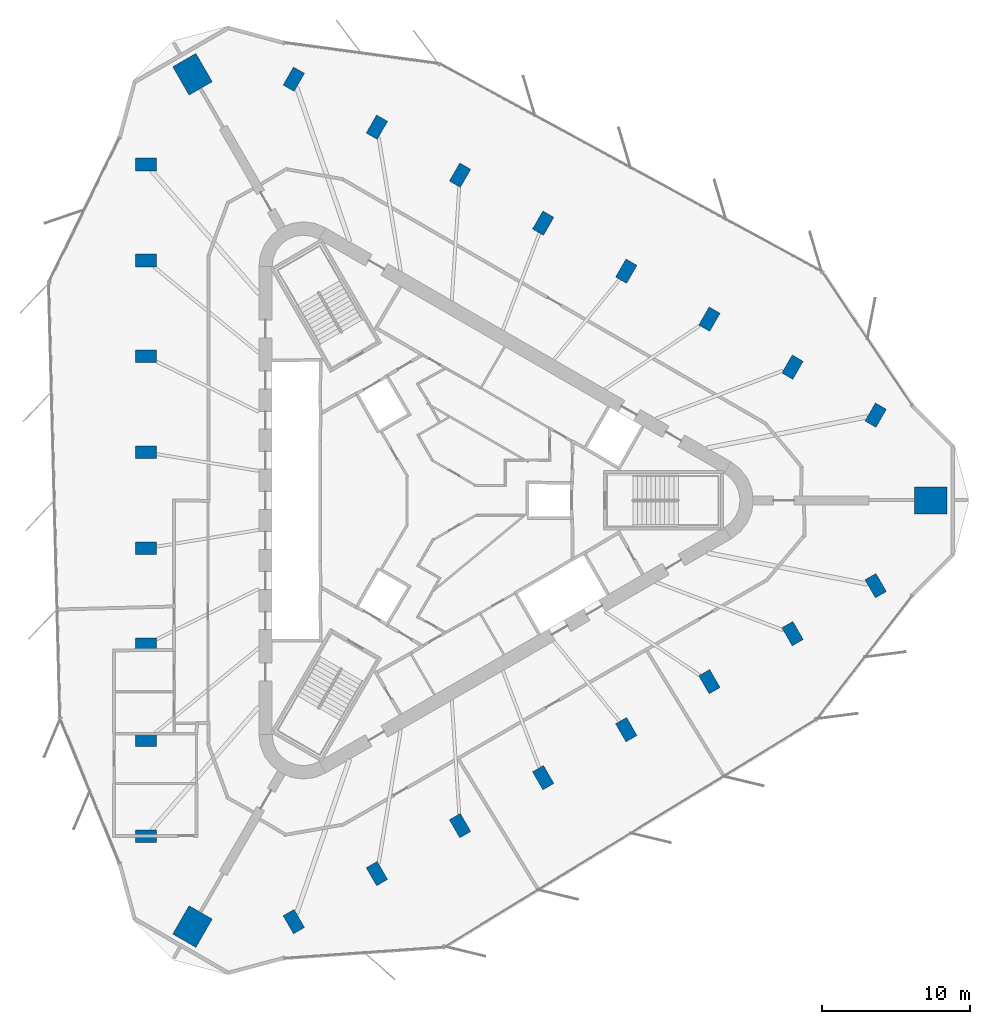
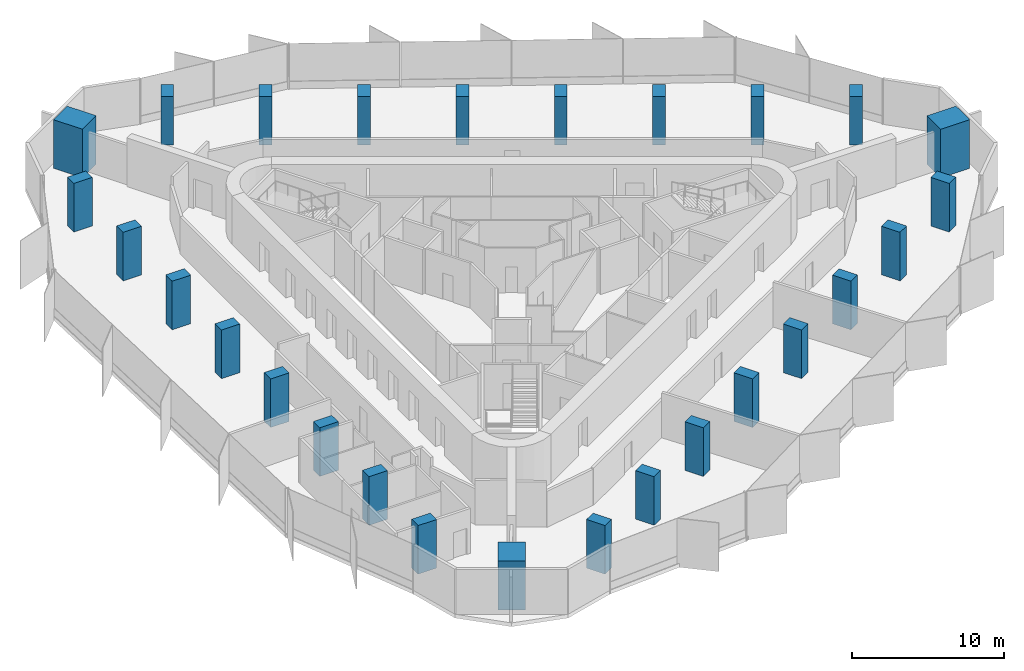
# One storey, part 1 of 12: 27 columns.
"""IFC4 building model written with IfcOpenShell, lengths in metres."""

from ifc_helpers import new_model, si_unit, direction, frame, origin, origin_2d, place, context, subcontext, project, spatial, rectangle, extrude, material, material_profile, profile_set, type_object, element, save


model = new_model("IFC4")

# Units and contexts
model_context = context("Model", 3, precision=1e-05, world=origin(), true_north=direction((0.0, 1.0)))
body_context = subcontext(model_context, "Body", "Model", "MODEL_VIEW")
ifc_project = project(units=[si_unit("LENGTHUNIT", "METRE"), si_unit("AREAUNIT", "SQUARE_METRE"), si_unit("VOLUMEUNIT", "CUBIC_METRE"), si_unit("PLANEANGLEUNIT", "RADIAN"), si_unit("MASSUNIT", "GRAM", prefix="KILO")], contexts=[model_context])

# Site, building, storey
site_placement = place(None, origin())
site = spatial("IfcSite", under=ifc_project, at=site_placement, CompositionType="ELEMENT")
building_placement = place(site_placement, origin())
building = spatial("IfcBuilding", under=site, at=building_placement, Name="Tanit Gate Tower", CompositionType="ELEMENT")
storey_placement = place(building_placement, frame((0.0, 0.0, 353.300048828125)))
storey = spatial("IfcBuildingStorey", under=building, at=storey_placement, Name="L80", CompositionType="ELEMENT", Elevation=353.300048828125)

# Columns
ifc_material_1 = material(Name="Concrete C50/60", Category="concrete")
ifc_material_profile_1 = material_profile(ifc_material_1, rectangle(XDim=2.199951171875, YDim=1.800048828125, at=origin_2d()), Name="RC 2200x1800")
ifc_profile_set_1 = profile_set([ifc_material_profile_1], Name="Concrete C50/60")
column_type_1 = type_object("IfcColumnType", Name="MEGA COLUMN 2200x1800 C50/60", PredefinedType="COLUMN", material=ifc_profile_set_1)
for number, where, z_axis, x_axis, name in (
    (1, (33.139404296875, 0.0, 0.0), (0.0, 0.0, 1.0), (1.0, 0.0, 0.0), "MEGA COLUMN"),
    (2, (-16.569580078125, 28.699462890625, 0.0), (0.0, 0.0, 1.0), (-0.5, 0.866025403784, 0.0), "MEGA COLUMN"),
    (3, (-16.569580078125, -28.699462890625, 0.0), (0.0, 0.0, 1.0), (-0.5, -0.866025403784, 0.0), "MEGA COLUMN"),
):
    element("IfcColumn", number, at=place(storey_placement, frame(where, z_axis=z_axis, x_axis=x_axis)), inside=storey, type_object=column_type_1, Name=name, PredefinedType="COLUMN", context=body_context, shape_type="SweptSolid", body=[
        extrude(rectangle(XDim=2.199951171875, YDim=1.800048828125, at=origin_2d()), origin(), (0.0, 0.0, 1.0), 3.89990234375),
    ])
ifc_material_2 = material(Name="Concrete C40/50", Category="concrete")
ifc_material_profile_2 = material_profile(ifc_material_2, rectangle(XDim=1.39990234375, YDim=0.85009765625, at=origin_2d()), Name="RC 1400x850")
ifc_profile_set_2 = profile_set([ifc_material_profile_2], Name="Concrete C40/50")
column_type_2 = type_object("IfcColumnType", Name="PERIMETER COLUMN 1400x850 C40/50", PredefinedType="COLUMN", material=ifc_profile_set_2)
for number, where, z_axis, x_axis, name in (
    (4, (-19.69189453125, 22.62353515625, 0.0), (0.0, 0.0, 1.0), (-1.0, 0.0, 0.0), "PERIMETER COLUMN"),
    (5, (-19.69189453125, 16.15966796875, 0.0), (0.0, 0.0, 1.0), (-1.0, 0.0, 0.0), "PERIMETER COLUMN"),
    (6, (-19.69189453125, 9.69580078125, 0.0), (0.0, 0.0, 1.0), (-1.0, 0.0, 0.0), "PERIMETER COLUMN"),
    (7, (-19.69189453125, 3.23193359375, 0.0), (0.0, 0.0, 1.0), (-1.0, 0.0, 0.0), "PERIMETER COLUMN"),
    (8, (-19.69189453125, -3.23193359375, 0.0), (0.0, 0.0, 1.0), (-1.0, 0.0, 0.0), "PERIMETER COLUMN"),
    (9, (-19.69189453125, -9.69580078125, 0.0), (0.0, 0.0, 1.0), (-1.0, 0.0, 0.0), "PERIMETER COLUMN"),
    (10, (-19.69189453125, -16.15966796875, 0.0), (0.0, 0.0, 1.0), (-1.0, 0.0, 0.0), "PERIMETER COLUMN"),
    (11, (-19.69189453125, -22.62353515625, 0.0), (0.0, 0.0, 1.0), (-1.0, 0.0, 0.0), "PERIMETER COLUMN"),
    (12, (29.4384765625, 5.74169921875, 0.0), (0.0, 0.0, 1.0), (0.5, 0.866025403784, 0.0), "PERIMETER COLUMN"),
    (13, (23.840576171875, 8.9736328125, 0.0), (0.0, 0.0, 1.0), (0.5, 0.866025403784, 0.0), "PERIMETER COLUMN"),
    (14, (18.24267578125, 12.20556640625, 0.0), (0.0, 0.0, 1.0), (0.5, 0.866025403784, 0.0), "PERIMETER COLUMN"),
    (15, (12.644775390625, 15.4375, 0.0), (0.0, 0.0, 1.0), (0.5, 0.866025403784, 0.0), "PERIMETER COLUMN"),
    (16, (7.046875, 18.66943359375, 0.0), (0.0, 0.0, 1.0), (0.5, 0.866025403784, 0.0), "PERIMETER COLUMN"),
    (17, (1.448974609375, 21.901611328125, 0.0), (0.0, 0.0, 1.0), (0.5, 0.866025403784, 0.0), "PERIMETER COLUMN"),
    (18, (-4.14892578125, 25.13330078125, 0.0), (0.0, 0.0, 1.0), (0.5, 0.866025403784, 0.0), "PERIMETER COLUMN"),
    (19, (-9.746826171875, 28.365478515625, 0.0), (0.0, 0.0, 1.0), (0.5, 0.866025403784, 0.0), "PERIMETER COLUMN"),
    (20, (-9.746826171875, -28.365478515625, 0.0), (0.0, 0.0, 1.0), (0.5, -0.866025403784, 0.0), "PERIMETER COLUMN"),
    (21, (-4.14892578125, -25.13330078125, 0.0), (0.0, 0.0, 1.0), (0.5, -0.866025403784, 0.0), "PERIMETER COLUMN"),
    (22, (1.448974609375, -21.901611328125, 0.0), (0.0, 0.0, 1.0), (0.5, -0.866025403784, 0.0), "PERIMETER COLUMN"),
    (23, (7.046875, -18.66943359375, 0.0), (0.0, 0.0, 1.0), (0.5, -0.866025403784, 0.0), "PERIMETER COLUMN"),
    (24, (12.644775390625, -15.4375, 0.0), (0.0, 0.0, 1.0), (0.5, -0.866025403784, 0.0), "PERIMETER COLUMN"),
    (25, (18.24267578125, -12.20556640625, 0.0), (0.0, 0.0, 1.0), (0.5, -0.866025403784, 0.0), "PERIMETER COLUMN"),
    (26, (23.840576171875, -8.9736328125, 0.0), (0.0, 0.0, 1.0), (0.5, -0.866025403784, 0.0), "PERIMETER COLUMN"),
    (27, (29.4384765625, -5.74169921875, 0.0), (0.0, 0.0, 1.0), (0.5, -0.866025403784, 0.0), "PERIMETER COLUMN"),
):
    element("IfcColumn", number, at=place(storey_placement, frame(where, z_axis=z_axis, x_axis=x_axis)), inside=storey, type_object=column_type_2, Name=name, PredefinedType="COLUMN", context=body_context, shape_type="SweptSolid", body=[
        extrude(rectangle(XDim=1.39990234375, YDim=0.85009765625, at=origin_2d()), origin(), (0.0, 0.0, 1.0), 3.89990234375),
    ])

save(model, "model.ifc")
